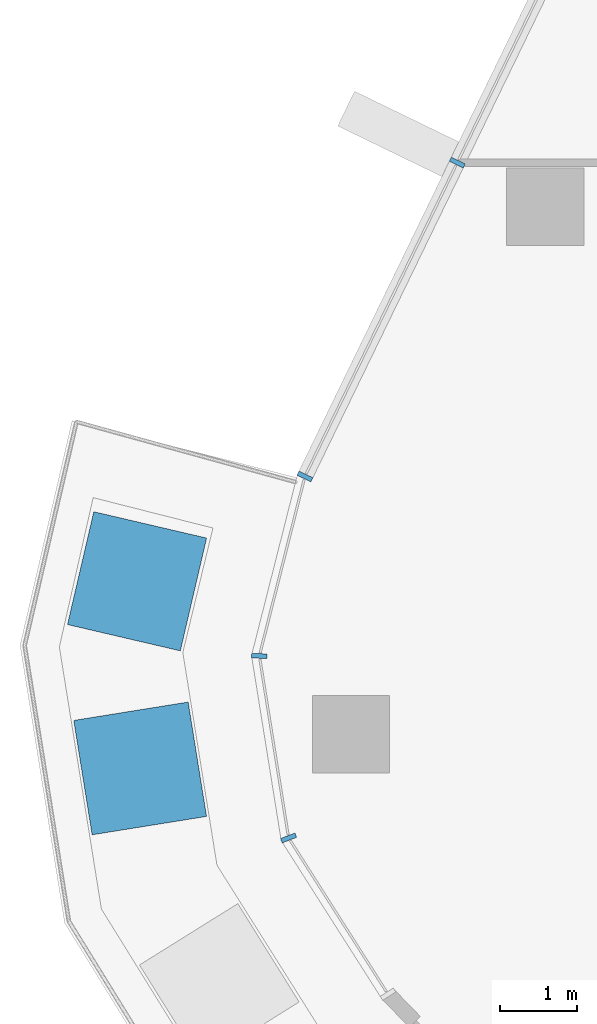
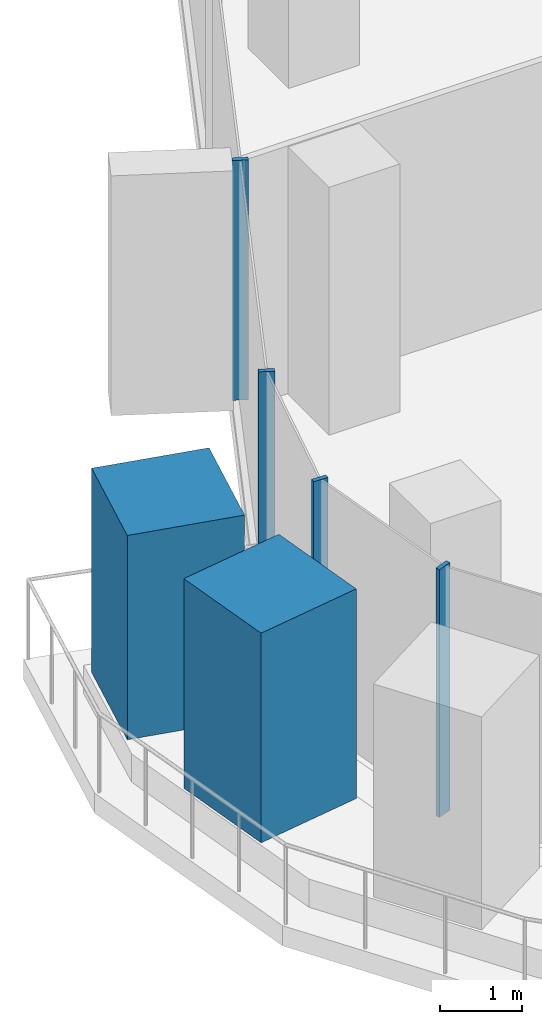
# One storey, part 3 of 24: 6 members, 2 elements without a shape of their own.
"""IFC4 building model written with IfcOpenShell, lengths in metres."""

from ifc_helpers import new_model, si_unit, direction, frame, origin, origin_2d, place, context, subcontext, project, spatial, rectangle, extrude, material, layer, layer_set, material_profile, profile_set, type_object, element, aggregate, save


model = new_model("IFC4")

# Units and contexts
model_context = context("Model", 3, precision=1e-05, world=origin(), true_north=direction((0.0, 1.0)))
body_context = subcontext(model_context, "Body", "Model", "MODEL_VIEW")
ifc_project = project(units=[si_unit("LENGTHUNIT", "METRE"), si_unit("AREAUNIT", "SQUARE_METRE"), si_unit("VOLUMEUNIT", "CUBIC_METRE"), si_unit("PLANEANGLEUNIT", "RADIAN"), si_unit("MASSUNIT", "GRAM", prefix="KILO")], contexts=[model_context])

# Site, building, storey
site_placement = place(None, origin())
site = spatial("IfcSite", under=ifc_project, at=site_placement, CompositionType="ELEMENT")
building_placement = place(site_placement, origin())
building = spatial("IfcBuilding", under=site, at=building_placement, Name="Dongbaek Canopy Tower", CompositionType="ELEMENT")
storey_placement = place(building_placement, frame((0.0, 0.0, 348.800048828125)))
storey = spatial("IfcBuildingStorey", under=building, at=storey_placement, Name="L75", CompositionType="ELEMENT", Elevation=348.800048828125)

# Curtain wall, members
ifc_material_1 = material(Name="Aluminium 6063-T6 pale anodised", Category="aluminium")
ifc_layer = layer(ifc_material_1, 0.199951171875)
ifc_layer_set = layer_set([ifc_layer], Name="CW-1 unitised tower curtain wall")
curtain_wall_type = type_object("IfcCurtainWallType", Name="CW-1 unitised tower curtain wall", PredefinedType="NOTDEFINED", material=ifc_layer_set)
curtain_wall_1_placement = place(storey_placement, origin())
curtain_wall_1 = element("IfcCurtainWall", 1, at=curtain_wall_1_placement, inside=storey, type_object=curtain_wall_type, Name="CW-1 curtain wall F2.1", PredefinedType="NOTDEFINED")
ifc_material_2 = material(Name="Aluminium 6063-T6 pale anodised", Category="aluminium")
ifc_material_profile_1 = material_profile(ifc_material_2, rectangle(XDim=0.199951171875, YDim=0.06005859375, at=origin_2d()), Name="CW-1 mullion 60 x 200")
ifc_profile_set_1 = profile_set([ifc_material_profile_1], Name="Aluminium 6063-T6 pale anodised")
member_type_1 = type_object("IfcMemberType", Name="CW-1 mullion 60 x 200", PredefinedType="MULLION", material=ifc_profile_set_1)
member_1_placement = place(storey_placement, frame((-29.75439453125, 0.65625, 0.119873046875), z_axis=(0.0, 0.0, 1.0), x_axis=(-0.899562865898, 0.436791312067, 0.0)))
member_1 = element("IfcMember", 2, at=member_1_placement, type_object=member_type_1, Name="CW-1 mullion F2.1.7", PredefinedType="MULLION", context=body_context, shape_type="SweptSolid", body=[
    extrude(rectangle(XDim=0.199951171875, YDim=0.06005859375, at=origin_2d()), origin(), (0.0, 0.0, 1.0), 3.580078125),
])
member_2_placement = place(storey_placement, frame((-31.727294921875, -3.406982421875, 0.119873046875), z_axis=(0.0, 0.0, 1.0), x_axis=(-0.899562865898, 0.436791312067, 0.0)))
member_2 = element("IfcMember", 3, at=member_2_placement, type_object=member_type_1, Name="CW-1 mullion F2.1.8", PredefinedType="MULLION", context=body_context, shape_type="SweptSolid", body=[
    extrude(rectangle(XDim=0.199951171875, YDim=0.06005859375, at=origin_2d()), origin(), (0.0, 0.0, 1.0), 3.580078125),
])
aggregate(curtain_wall_1, [member_1, member_2])

curtain_wall_2_placement = place(storey_placement, origin())
curtain_wall_2 = element("IfcCurtainWall", 4, at=curtain_wall_2_placement, inside=storey, type_object=curtain_wall_type, Name="CW-1 curtain wall K3.1", PredefinedType="NOTDEFINED")
member_3_placement = place(storey_placement, frame((-32.31640625, -5.73046875, 0.0), z_axis=(0.0, 0.0, 1.0), x_axis=(-0.999006675409, 0.044560772987, 0.0)))
member_3 = element("IfcMember", 5, at=member_3_placement, type_object=member_type_1, Name="CW-1 mullion K3.1.2", PredefinedType="MULLION", context=body_context, shape_type="SweptSolid", body=[
    extrude(rectangle(XDim=0.199951171875, YDim=0.06005859375, at=origin_2d()), origin(), (0.0, 0.0, 1.0), 3.699951171875),
])
member_4_placement = place(storey_placement, frame((-31.938232421875, -8.086669921875, 0.0), z_axis=(0.0, 0.0, 1.0), x_axis=(-0.934879258759, -0.354965873773, 0.0)))
member_4 = element("IfcMember", 6, at=member_4_placement, type_object=member_type_1, Name="CW-1 mullion K3.1.3", PredefinedType="MULLION", context=body_context, shape_type="SweptSolid", body=[
    extrude(rectangle(XDim=0.199951171875, YDim=0.06005859375, at=origin_2d()), origin(), (0.0, 0.0, 1.0), 3.699951171875),
])
aggregate(curtain_wall_2, [member_3, member_4])

# Members
ifc_material_3 = material(Name="Concrete C40/50 planter mass with planting", Category="concrete")
ifc_material_profile_2 = material_profile(ifc_material_3, rectangle(XDim=1.5, YDim=1.5, at=origin_2d()), Name="Terrace PLANTER shrub mass 1500 x 1500")
ifc_profile_set_2 = profile_set([ifc_material_profile_2], Name="Concrete C40/50 planter mass with planting")
member_type_2 = type_object("IfcMemberType", Name="Terrace PLANTER shrub mass 1500 x 1500", PredefinedType="USERDEFINED", material=ifc_profile_set_2)
member_5_placement = place(storey_placement, frame((-33.900146484375, -4.76416015625, 0.419921875), z_axis=(0.0, 0.0, 1.0), x_axis=(-0.973871508313, 0.227099725444, 0.0)))
element("IfcMember", 7, at=member_5_placement, inside=storey, type_object=member_type_2, Name="Planter shrubs L75 7.1", ObjectType="PLANTER", PredefinedType="USERDEFINED", context=body_context, shape_type="SweptSolid", body=[
    extrude(rectangle(XDim=1.5, YDim=1.5, at=origin_2d()), origin(), (0.0, 0.0, 1.0), 3.050048828125),
])
member_6_placement = place(storey_placement, frame((-33.860107421875, -7.186767578125, 0.419921875), z_axis=(0.0, 0.0, 1.0), x_axis=(-0.987362186314, -0.158480008321, 0.0)))
element("IfcMember", 8, at=member_6_placement, inside=storey, type_object=member_type_2, Name="Planter shrubs L75 7.2", ObjectType="PLANTER", PredefinedType="USERDEFINED", context=body_context, shape_type="SweptSolid", body=[
    extrude(rectangle(XDim=1.5, YDim=1.5, at=origin_2d()), origin(), (0.0, 0.0, 1.0), 3.130126953125),
])

save(model, "model.ifc")
